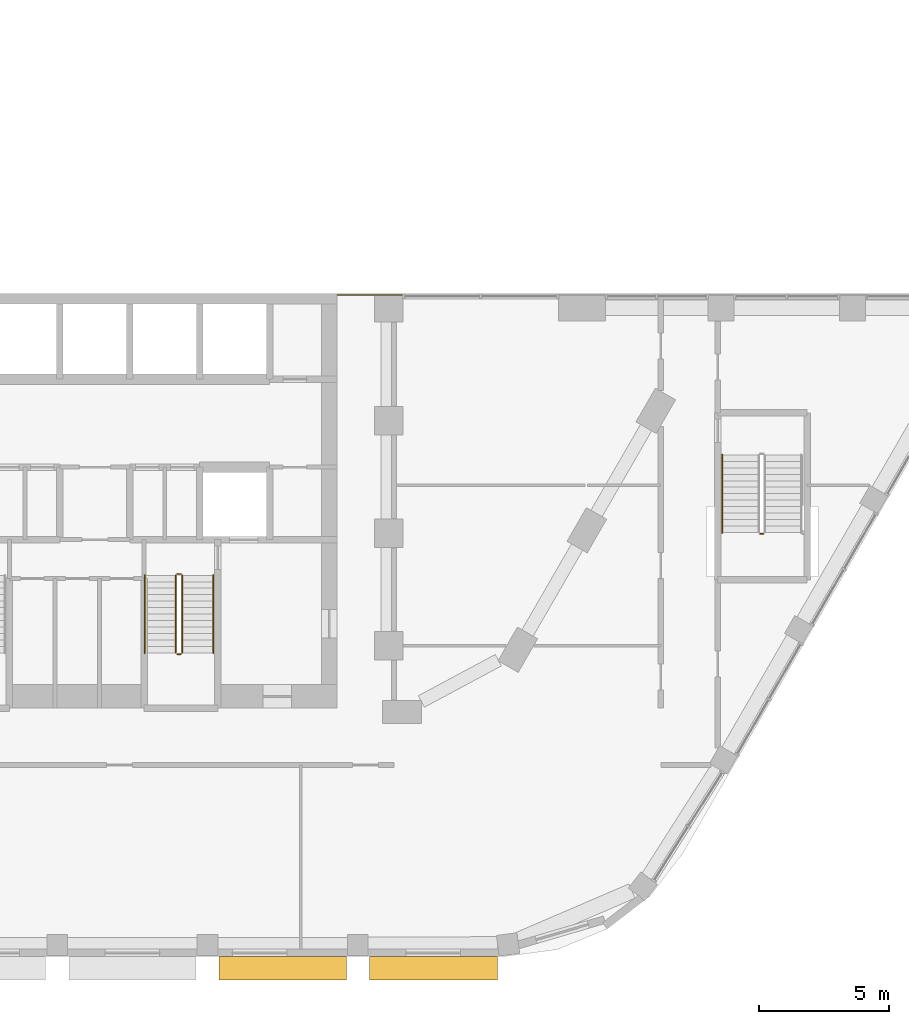
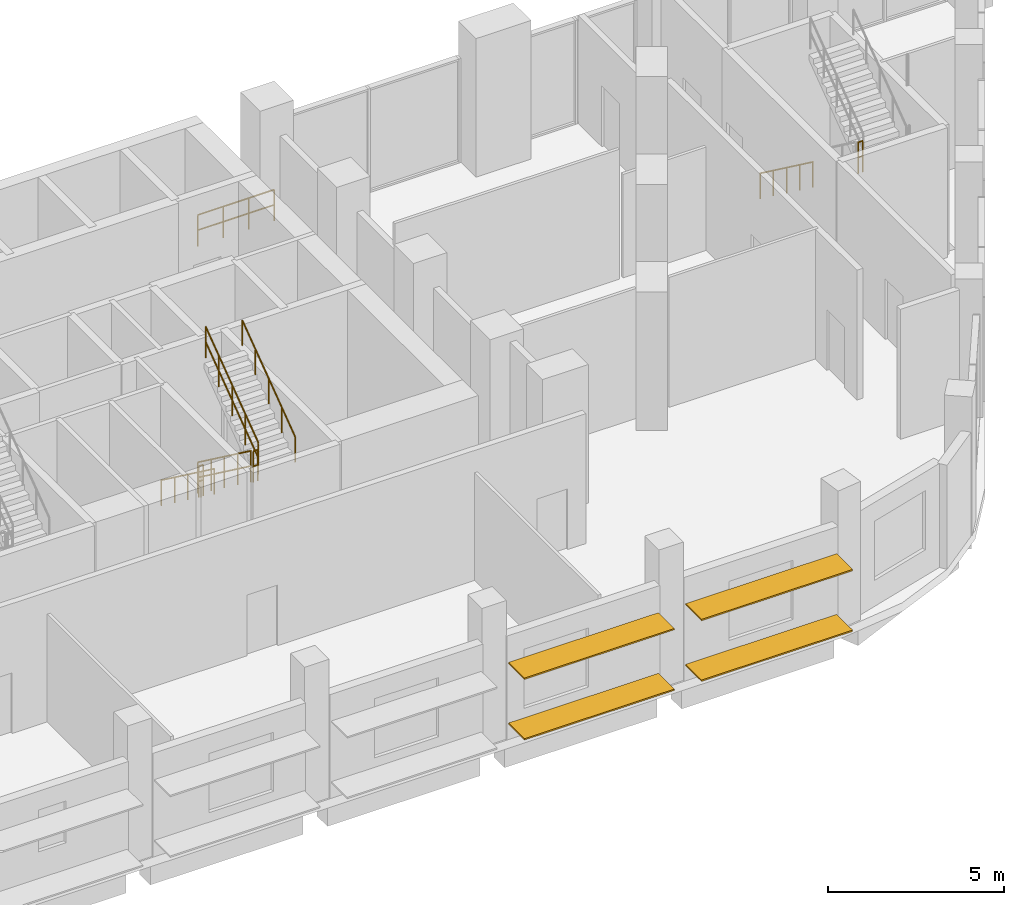
# One storey, part 36 of 45: 9 railings, 4 shading devices.
"""IFC4 building model written with IfcOpenShell, lengths in metres."""

from ifc_helpers import new_model, si_unit, direction, frame, origin, origin_2d, place, context, subcontext, project, spatial, rectangle, circle, extrude, material, material_profile, profile_set, type_object, element, save


model = new_model("IFC4")

# Units and contexts
model_context = context("Model", 3, precision=1e-05, world=origin(), true_north=direction((0.0, 1.0)))
body_context = subcontext(model_context, "Body", "Model", "MODEL_VIEW")
ifc_project = project(units=[si_unit("LENGTHUNIT", "METRE"), si_unit("AREAUNIT", "SQUARE_METRE"), si_unit("VOLUMEUNIT", "CUBIC_METRE"), si_unit("PLANEANGLEUNIT", "RADIAN"), si_unit("MASSUNIT", "GRAM", prefix="KILO")], contexts=[model_context])

# Site, building, storey
site_placement = place(None, origin())
site = spatial("IfcSite", under=ifc_project, at=site_placement, CompositionType="ELEMENT")
building_placement = place(site_placement, origin())
building = spatial("IfcBuilding", under=site, at=building_placement, Name="Nakaniwa Court", CompositionType="ELEMENT")
storey_placement = place(building_placement, frame((0.0, 0.0, 6.60009765625)))
storey = spatial("IfcBuildingStorey", under=building, at=storey_placement, Name="L01", CompositionType="ELEMENT", Elevation=6.60009765625)

# Shading devices
ifc_material_1 = material(Name="Perforated charcoal ceramic louvre blade")
ifc_material_profile = material_profile(ifc_material_1, rectangle(XDim=0.89990234375, YDim=0.050048828125, at=origin_2d()), Name="Perforated ceramic louvre blade")
ifc_profile_set = profile_set([ifc_material_profile], Name="Perforated charcoal ceramic louvre blade")
shading_device_type = type_object("IfcShadingDeviceType", Name="Perforated ceramic louvre blade", PredefinedType="JALOUSIE", material=ifc_profile_set)
for number, where, z_axis, x_axis, name in (
    (1, (83.448486328125, 46.550048828125, 0.5498046875), (1.0, 0.0, 0.0), (0.0, 1.0, 0.0), "L01 perforated ceramic louvre blade w22 1"),
    (2, (83.448486328125, 46.550048828125, 2.64990234375), (1.0, 0.0, 0.0), (0.0, 1.0, 0.0), "L01 perforated ceramic louvre blade w22 2"),
):
    element("IfcShadingDevice", number, at=place(storey_placement, frame(where, z_axis=z_axis, x_axis=x_axis)), inside=storey, type_object=shading_device_type, Name=name, PredefinedType="JALOUSIE", context=body_context, shape_type="SweptSolid", body=[
        extrude(rectangle(XDim=0.89990234375, YDim=0.050048828125, at=origin_2d()), origin(), (0.0, 0.0, 1.0), 4.910400390625),
    ])
for number, where, z_axis, x_axis, name in (
    (3, (89.250732421875, 46.550048828125, 0.5498046875), (1.0, 0.0, 0.0), (0.0, 1.0, 0.0), "L01 perforated ceramic louvre blade w23 1"),
    (4, (89.250732421875, 46.550048828125, 2.64990234375), (1.0, 0.0, 0.0), (0.0, 1.0, 0.0), "L01 perforated ceramic louvre blade w23 2"),
):
    element("IfcShadingDevice", number, at=place(storey_placement, frame(where, z_axis=z_axis, x_axis=x_axis)), inside=storey, type_object=shading_device_type, Name=name, PredefinedType="JALOUSIE", context=body_context, shape_type="SweptSolid", body=[
        extrude(rectangle(XDim=0.89990234375, YDim=0.050048828125, at=origin_2d()), origin(), (0.0, 0.0, 1.0), 4.947998046875),
    ])

# Railings
ifc_material_2 = material(Name="Black powder coated steel guard", Category="steel")
railing_type_1 = type_object("IfcRailingType", Name="Stair guard 1100", PredefinedType="GUARDRAIL", material=ifc_material_2)
railing_1_placement = place(storey_placement, frame((81.77490234375, 61.72509765625, 0.1845703125)))
element("IfcRailing", 5, at=railing_1_placement, inside=storey, type_object=railing_type_1, Name="L01 ST4 stair guard 1", PredefinedType="GUARDRAIL", context=body_context, shape_type="SweptSolid", body=[
    extrude(circle(Radius=0.02392578125, at=origin_2d()), frame((0.0, 0.0, 1.076171875), z_axis=(0.0, -0.804440004972, 0.594033903411), x_axis=(1.0, 0.0, 0.0)), (0.0, 0.0, 1.0), 3.729248046875),
    extrude(circle(Radius=0.02392578125, at=origin_2d()), frame((0.0, 0.0, 0.550048828125), z_axis=(0.0, -0.804440004972, 0.594033903411), x_axis=(1.0, 0.0, 0.0)), (0.0, 0.0, 1.0), 3.729248046875),
    extrude(circle(Radius=0.02099609375, at=origin_2d()), origin(), (0.0, 0.0, 1.0), 1.052001953125),
    extrude(circle(Radius=0.02099609375, at=origin_2d()), frame((0.0, -0.75, 0.5537109375)), (0.0, 0.0, 1.0), 1.052001953125),
    extrude(circle(Radius=0.02099609375, at=origin_2d()), frame((0.0, -1.5, 1.107666015625)), (0.0, 0.0, 1.0), 1.052001953125),
    extrude(circle(Radius=0.02099609375, at=origin_2d()), frame((0.0, -2.25, 1.66162109375)), (0.0, 0.0, 1.0), 1.052001953125),
    extrude(circle(Radius=0.02099609375, at=origin_2d()), frame((0.0, -3.0, 2.21533203125)), (0.0, 0.0, 1.0), 1.052001953125),
])
railing_2_placement = place(storey_placement, frame((81.824951171875, 58.675048828125, 2.39990234375)))
element("IfcRailing", 6, at=railing_2_placement, inside=storey, type_object=railing_type_1, Name="L01 ST4 stair guard 2", PredefinedType="GUARDRAIL", context=body_context, shape_type="SweptSolid", body=[
    extrude(circle(Radius=0.02392578125, at=origin_2d()), frame((0.0, 0.0, 1.076171875), z_axis=(1.0, 0.0, 0.0), x_axis=(0.0, 1.0, 0.0)), (0.0, 0.0, 1.0), 0.150146484375),
    extrude(circle(Radius=0.02392578125, at=origin_2d()), frame((0.0, 0.0, 0.550048828125), z_axis=(1.0, 0.0, 0.0), x_axis=(0.0, 1.0, 0.0)), (0.0, 0.0, 1.0), 0.150146484375),
    extrude(circle(Radius=0.02099609375, at=origin_2d()), origin(), (0.0, 0.0, 1.0), 1.052001953125),
    extrude(circle(Radius=0.02099609375, at=origin_2d()), frame((0.150146484375, 0.0, 0.0)), (0.0, 0.0, 1.0), 1.052001953125),
])
railing_3_placement = place(storey_placement, frame((82.02490234375, 58.72509765625, 2.58447265625)))
element("IfcRailing", 7, at=railing_3_placement, inside=storey, type_object=railing_type_1, Name="L01 ST4 stair guard 3", PredefinedType="GUARDRAIL", context=body_context, shape_type="SweptSolid", body=[
    extrude(circle(Radius=0.02392578125, at=origin_2d()), frame((0.0, 0.0, 1.076171875), z_axis=(0.0, 0.804440004972, 0.594033903411), x_axis=(-1.0, 0.0, 0.0)), (0.0, 0.0, 1.0), 3.729248046875),
    extrude(circle(Radius=0.02392578125, at=origin_2d()), frame((0.0, 0.0, 0.550048828125), z_axis=(0.0, 0.804440004972, 0.594033903411), x_axis=(-1.0, 0.0, 0.0)), (0.0, 0.0, 1.0), 3.729248046875),
    extrude(circle(Radius=0.02099609375, at=origin_2d()), origin(), (0.0, 0.0, 1.0), 1.052001953125),
    extrude(circle(Radius=0.02099609375, at=origin_2d()), frame((0.0, 0.75, 0.5537109375)), (0.0, 0.0, 1.0), 1.052001953125),
    extrude(circle(Radius=0.02099609375, at=origin_2d()), frame((0.0, 1.5, 1.107666015625)), (0.0, 0.0, 1.0), 1.052001953125),
    extrude(circle(Radius=0.02099609375, at=origin_2d()), frame((0.0, 2.25, 1.66162109375)), (0.0, 0.0, 1.0), 1.052001953125),
    extrude(circle(Radius=0.02099609375, at=origin_2d()), frame((0.0, 3.0, 2.21533203125)), (0.0, 0.0, 1.0), 1.052001953125),
])
for number, where, name in (
    (8, (81.824951171875, 61.77490234375, 0.0), "L01 ST4 stair guard 4"),
    (9, (104.324951171875, 63.324951171875, 2.39990234375), "L01 SS3 stair guard 2"),
):
    element("IfcRailing", number, at=place(storey_placement, frame(where)), inside=storey, type_object=railing_type_1, Name=name, PredefinedType="GUARDRAIL", context=body_context, shape_type="SweptSolid", body=[
        extrude(circle(Radius=0.02392578125, at=origin_2d()), frame((0.0, 0.0, 1.076171875), z_axis=(1.0, 0.0, 0.0), x_axis=(0.0, 1.0, 0.0)), (0.0, 0.0, 1.0), 0.150146484375),
        extrude(circle(Radius=0.02392578125, at=origin_2d()), frame((0.0, 0.0, 0.550048828125), z_axis=(1.0, 0.0, 0.0), x_axis=(0.0, 1.0, 0.0)), (0.0, 0.0, 1.0), 0.150146484375),
        extrude(circle(Radius=0.02099609375, at=origin_2d()), origin(), (0.0, 0.0, 1.0), 1.052001953125),
        extrude(circle(Radius=0.02099609375, at=origin_2d()), frame((0.150146484375, 0.0, 0.0)), (0.0, 0.0, 1.0), 1.052001953125),
    ])
railing_4_placement = place(storey_placement, frame((88.014892578125, 72.550048828125, 0.0)))
element("IfcRailing", 10, at=railing_4_placement, inside=storey, type_object=railing_type_1, Name="GUARD GD-L01-006", PredefinedType="GUARDRAIL", context=body_context, shape_type="SweptSolid", body=[
    extrude(circle(Radius=0.02392578125, at=origin_2d()), frame((0.0, 0.0, 1.076171875), z_axis=(1.0, 0.0, 0.0), x_axis=(0.0, 1.0, 0.0)), (0.0, 0.0, 1.0), 2.507080078125),
    extrude(circle(Radius=0.02392578125, at=origin_2d()), frame((0.0, 0.0, 0.550048828125), z_axis=(1.0, 0.0, 0.0), x_axis=(0.0, 1.0, 0.0)), (0.0, 0.0, 1.0), 2.507080078125),
    extrude(circle(Radius=0.02099609375, at=origin_2d()), origin(), (0.0, 0.0, 1.0), 1.052001953125),
    extrude(circle(Radius=0.02099609375, at=origin_2d()), frame((0.835693359375, 0.0, 0.0)), (0.0, 0.0, 1.0), 1.052001953125),
    extrude(circle(Radius=0.02099609375, at=origin_2d()), frame((1.67138671875, 0.0, 0.0)), (0.0, 0.0, 1.0), 1.052001953125),
    extrude(circle(Radius=0.02099609375, at=origin_2d()), frame((2.507080078125, 0.0, 0.0)), (0.0, 0.0, 1.0), 1.052001953125),
])
ifc_material_3 = material(Name="Black powder coated steel handrail", Category="steel")
railing_type_2 = type_object("IfcRailingType", Name="Stair handrail 900", PredefinedType="HANDRAIL", material=ifc_material_3)
railing_5_placement = place(storey_placement, frame((80.574951171875, 61.72509765625, 0.1845703125)))
element("IfcRailing", 11, at=railing_5_placement, inside=storey, type_object=railing_type_2, Name="L01 ST4 stair handrail 1", PredefinedType="HANDRAIL", context=body_context, shape_type="SweptSolid", body=[
    extrude(circle(Radius=0.02392578125, at=origin_2d()), frame((0.0, 0.0, 0.8759765625), z_axis=(0.0, -0.804440004972, 0.594033903411), x_axis=(1.0, 0.0, 0.0)), (0.0, 0.0, 1.0), 3.729248046875),
    extrude(circle(Radius=0.02099609375, at=origin_2d()), origin(), (0.0, 0.0, 1.0), 0.851806640625),
    extrude(circle(Radius=0.02099609375, at=origin_2d()), frame((0.0, -0.75, 0.5537109375)), (0.0, 0.0, 1.0), 0.851806640625),
    extrude(circle(Radius=0.02099609375, at=origin_2d()), frame((0.0, -1.5, 1.107666015625)), (0.0, 0.0, 1.0), 0.851806640625),
    extrude(circle(Radius=0.02099609375, at=origin_2d()), frame((0.0, -2.25, 1.66162109375)), (0.0, 0.0, 1.0), 0.851806640625),
    extrude(circle(Radius=0.02099609375, at=origin_2d()), frame((0.0, -3.0, 2.21533203125)), (0.0, 0.0, 1.0), 0.851806640625),
])
railing_6_placement = place(storey_placement, frame((83.22509765625, 58.72509765625, 2.58447265625)))
element("IfcRailing", 12, at=railing_6_placement, inside=storey, type_object=railing_type_2, Name="L01 ST4 stair handrail 2", PredefinedType="HANDRAIL", context=body_context, shape_type="SweptSolid", body=[
    extrude(circle(Radius=0.02392578125, at=origin_2d()), frame((0.0, 0.0, 0.8759765625), z_axis=(0.0, 0.804440004972, 0.594033903411), x_axis=(-1.0, 0.0, 0.0)), (0.0, 0.0, 1.0), 3.729248046875),
    extrude(circle(Radius=0.02099609375, at=origin_2d()), origin(), (0.0, 0.0, 1.0), 0.851806640625),
    extrude(circle(Radius=0.02099609375, at=origin_2d()), frame((0.0, 0.75, 0.5537109375)), (0.0, 0.0, 1.0), 0.851806640625),
    extrude(circle(Radius=0.02099609375, at=origin_2d()), frame((0.0, 1.5, 1.107666015625)), (0.0, 0.0, 1.0), 0.851806640625),
    extrude(circle(Radius=0.02099609375, at=origin_2d()), frame((0.0, 2.25, 1.66162109375)), (0.0, 0.0, 1.0), 0.851806640625),
    extrude(circle(Radius=0.02099609375, at=origin_2d()), frame((0.0, 3.0, 2.21533203125)), (0.0, 0.0, 1.0), 0.851806640625),
])
railing_7_placement = place(storey_placement, frame((102.875, 66.375, 0.1845703125)))
element("IfcRailing", 13, at=railing_7_placement, inside=storey, type_object=railing_type_2, Name="L01 SS3 stair handrail 1", PredefinedType="HANDRAIL", context=body_context, shape_type="SweptSolid", body=[
    extrude(circle(Radius=0.02392578125, at=origin_2d()), frame((0.0, 0.0, 0.8759765625), z_axis=(0.0, -0.804440004972, 0.594033903411), x_axis=(1.0, 0.0, 0.0)), (0.0, 0.0, 1.0), 3.729248046875),
    extrude(circle(Radius=0.02099609375, at=origin_2d()), origin(), (0.0, 0.0, 1.0), 0.851806640625),
    extrude(circle(Radius=0.02099609375, at=origin_2d()), frame((0.0, -0.75, 0.5537109375)), (0.0, 0.0, 1.0), 0.851806640625),
    extrude(circle(Radius=0.02099609375, at=origin_2d()), frame((0.0, -1.5, 1.107666015625)), (0.0, 0.0, 1.0), 0.851806640625),
    extrude(circle(Radius=0.02099609375, at=origin_2d()), frame((0.0, -2.25, 1.66162109375)), (0.0, 0.0, 1.0), 0.851806640625),
    extrude(circle(Radius=0.02099609375, at=origin_2d()), frame((0.0, -3.0, 2.21533203125)), (0.0, 0.0, 1.0), 0.851806640625),
])

save(model, "model.ifc")
